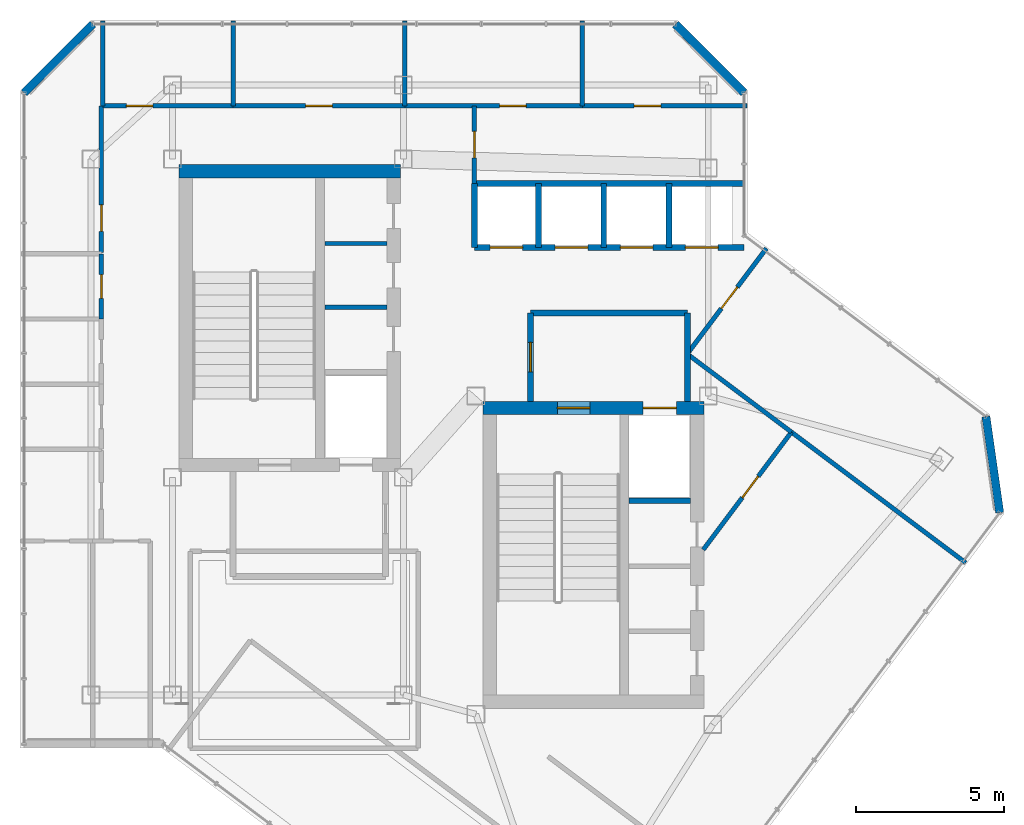
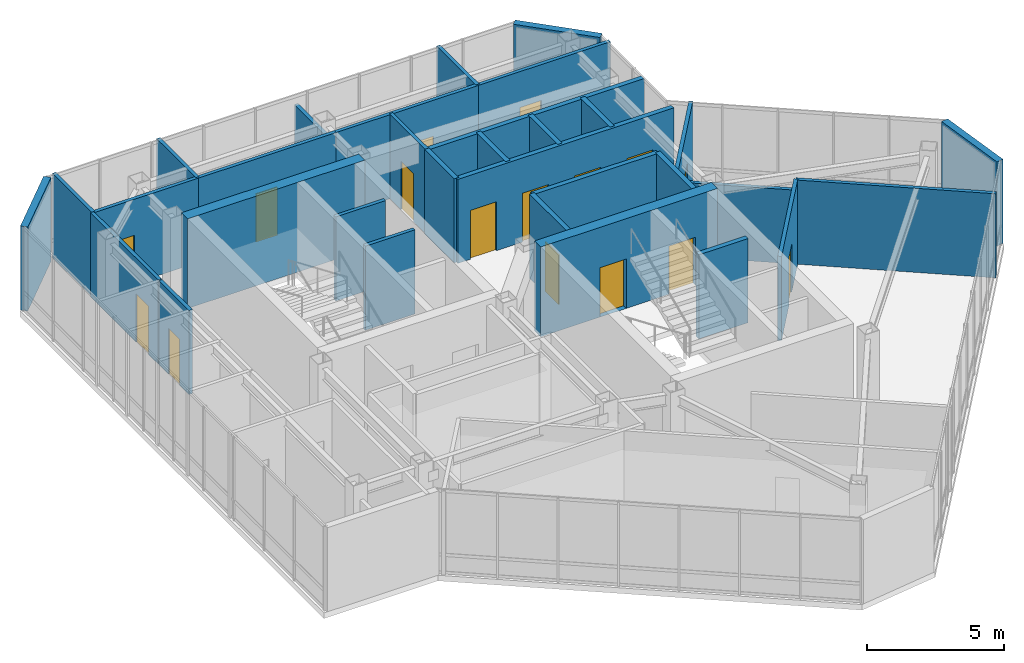
# One storey, part 27 of 30: 32 walls, 16 doors, 16 openings.
"""IFC4 building model written with IfcOpenShell, lengths in metres."""

from ifc_helpers import new_model, si_unit, direction, frame, frame_2d, origin, place, context, subcontext, project, spatial, rectangle, extrude, material, layer, layer_set, type_object, element, fill, save


model = new_model("IFC4")

# Units and contexts
model_context = context("Model", 3, precision=1e-05, world=origin(), true_north=direction((0.0, 1.0)))
body_context = subcontext(model_context, "Body", "Model", "MODEL_VIEW")
ifc_project = project(units=[si_unit("LENGTHUNIT", "METRE"), si_unit("AREAUNIT", "SQUARE_METRE"), si_unit("VOLUMEUNIT", "CUBIC_METRE"), si_unit("PLANEANGLEUNIT", "RADIAN"), si_unit("MASSUNIT", "GRAM", prefix="KILO")], contexts=[model_context])

# Site, building, storey
site_placement = place(None, origin())
site = spatial("IfcSite", under=ifc_project, at=site_placement, CompositionType="ELEMENT")
building_placement = place(site_placement, origin())
building = spatial("IfcBuilding", under=site, at=building_placement, Name="Hatsunagi Terrace Concourse", CompositionType="ELEMENT")
storey_placement = place(building_placement, frame((0.0, 0.0, 273.949951171875)))
storey = spatial("IfcBuildingStorey", under=building, at=storey_placement, Name="L72", CompositionType="ELEMENT", Elevation=273.949951171875)

# Wall
ifc_material_1 = material(Name="Concrete Fc42", Category="concrete")
ifc_layer_1 = layer(ifc_material_1, 0.449951171875)
ifc_layer_set_1 = layer_set([ifc_layer_1], Name="CoreShearWall_Fc42_450")
wall_type_1 = type_object("IfcWallType", Name="CoreShearWall_Fc42_450", PredefinedType="SHEAR", material=ifc_layer_set_1)
wall_1_placement = place(storey_placement, frame((25.77001953125, 42.89501953125, 0.0), z_axis=(0.0, 0.0, 1.0), x_axis=(1.0, 0.0, 0.0)))
element("IfcWall", 1, at=wall_1_placement, inside=storey, type_object=wall_type_1, Name="Core A Shear Wall N L72", PredefinedType="SHEAR", context=body_context, shape_type="SweptSolid", body=[
    extrude(rectangle(XDim=7.47998046875, YDim=0.449951171875, at=frame_2d((3.739990234375, 0.0))), origin(), (0.0, 0.0, 1.0), 4.0),
])

# Wall, openings, doors
wall_2_placement = place(storey_placement, frame((36.0400390625, 34.89501953125, 0.0), z_axis=(0.0, 0.0, 1.0), x_axis=(1.0, 0.0, 0.0)))
wall_2 = element("IfcWall", 2, at=wall_2_placement, inside=storey, type_object=wall_type_1, Name="Core B Shear Wall N L72", PredefinedType="SHEAR", context=body_context, shape_type="SweptSolid", body=[
    extrude(rectangle(XDim=7.4599609375, YDim=0.449951171875, at=frame_2d((3.72998046875, 0.0))), origin(), (0.0, 0.0, 1.0), 4.0),
])
opening_1_placement = place(wall_2_placement, frame((2.510009765625, 0.0, 0.0)))
opening_1 = element("IfcOpeningElement", 3, at=opening_1_placement, cuts=wall_2, Name="Opening DR-110S", PredefinedType="OPENING", context=body_context, shape_type="SweptSolid", body=[
    extrude(rectangle(XDim=1.10009765625, YDim=2.199951171875, at=frame_2d((0.550048828125, 1.10009765625))), frame((0.0, 0.23486328125, 0.0), z_axis=(0.0, -1.0, 0.0), x_axis=(1.0, 0.0, 0.0)), (0.0, 0.0, 1.0), 0.469970703125),
])
opening_2_placement = place(wall_2_placement, frame((5.409912109375, 0.0, 0.0)))
opening_2 = element("IfcOpeningElement", 4, at=opening_2_placement, cuts=wall_2, Name="Opening LD-02", PredefinedType="OPENING", context=body_context, shape_type="SweptSolid", body=[
    extrude(rectangle(XDim=1.1201171875, YDim=2.14990234375, at=frame_2d((0.56005859375, 1.074951171875))), frame((0.0, 0.23486328125, 0.0), z_axis=(0.0, -1.0, 0.0), x_axis=(1.0, 0.0, 0.0)), (0.0, 0.0, 1.0), 0.469970703125),
])
ifc_material_2 = material(Name="Stainless steel", Category="steel")
door_type_1 = type_object("IfcDoorType", Name="LiftLandingDoor_LD02", OperationType="SLIDING_TO_RIGHT", PredefinedType="USERDEFINED", material=ifc_material_2)
door_1_placement = place(opening_2_placement, origin())
door_1 = element("IfcDoor", 5, at=door_1_placement, inside=storey, type_object=door_type_1, Name="Lift landing door FF-02 L72", ObjectType="SLIDING_LANDING_DOOR", OperationType="SLIDING_TO_RIGHT", OverallHeight=2.14990234375, OverallWidth=1.1201171875, PredefinedType="USERDEFINED", context=body_context, shape_type="SweptSolid", body=[
    extrude(rectangle(XDim=1.1201171875, YDim=2.14990234375, at=frame_2d((0.56005859375, 1.074951171875))), frame((0.0, 0.02490234375, 0.0), z_axis=(0.0, -1.0, 0.0), x_axis=(1.0, 0.0, 0.0)), (0.0, 0.0, 1.0), 0.050048828125),
])
fill(opening_2, door_1)
ifc_material_3 = material(Name="Painted steel", Category="steel")
door_type_2 = type_object("IfcDoorType", Name="StairFireDoor_EI60_1100", OperationType="NOTDEFINED", PredefinedType="DOOR", material=ifc_material_3)
door_2_placement = place(opening_1_placement, origin())
door_2 = element("IfcDoor", 6, at=door_2_placement, inside=storey, type_object=door_type_2, Name="Stair ST-B Exit Door L72", OperationType="SINGLE_SWING_RIGHT", OverallHeight=2.199951171875, OverallWidth=1.10009765625, PredefinedType="DOOR", context=body_context, shape_type="SweptSolid", body=[
    extrude(rectangle(XDim=1.10009765625, YDim=2.199951171875, at=frame_2d((0.550048828125, 1.10009765625))), frame((0.0, 0.02490234375, 0.0), z_axis=(0.0, -1.0, 0.0), x_axis=(1.0, 0.0, 0.0)), (0.0, 0.0, 1.0), 0.050048828125),
])
fill(opening_1, door_2)

# Walls
ifc_material_4 = material(Name="Acoustic mineral board", Category="gypsum")
ifc_layer_2 = layer(ifc_material_4, 0.14990234375)
ifc_layer_set_2 = layer_set([ifc_layer_2], Name="PartitionWall_EI60_150")
wall_type_2 = type_object("IfcWallType", Name="PartitionWall_EI60_150", PredefinedType="PARTITIONING", material=ifc_layer_set_2)
for number, where, z_axis, x_axis, name in (
    (7, (30.699951171875, 38.300048828125, 0.0), (0.0, 0.0, 1.0), (1.0, 0.0, 0.0), "Interior Partition IW-L72-002"),
    (8, (30.699951171875, 40.449951171875, 0.0), (0.0, 0.0, 1.0), (1.0, 0.0, 0.0), "Interior Partition IW-L72-003"),
):
    element("IfcWall", number, at=place(storey_placement, frame(where, z_axis=z_axis, x_axis=x_axis)), inside=storey, type_object=wall_type_2, Name=name, PredefinedType="PARTITIONING", context=body_context, shape_type="SweptSolid", body=[
        extrude(rectangle(XDim=2.10009765625, YDim=0.14990234375, at=frame_2d((1.050048828125, 0.0))), origin(), (0.0, 0.0, 1.0), 3.75),
    ])

# Wall, opening, door
wall_3_placement = place(storey_placement, frame((23.14990234375, 37.89990234375, 0.0), z_axis=(0.0, 0.0, 1.0), x_axis=(0.0, 1.0, 0.0)))
wall_3 = element("IfcWall", 9, at=wall_3_placement, inside=storey, type_object=wall_type_2, Name="Interior Partition IW-L72-025", PredefinedType="PARTITIONING", context=body_context, shape_type="SweptSolid", body=[
    extrude(rectangle(XDim=2.2001953125, YDim=0.14990234375, at=frame_2d((1.10009765625, 0.0))), origin(), (0.0, 0.0, 1.0), 3.75),
])
opening_3_placement = place(wall_3_placement, frame((0.699951171875, 0.0, 0.0)))
opening_3 = element("IfcOpeningElement", 10, at=opening_3_placement, cuts=wall_3, Name="Opening DR-080", PredefinedType="OPENING", context=body_context, shape_type="SweptSolid", body=[
    extrude(rectangle(XDim=0.800048828125, YDim=2.06005859375, at=frame_2d((0.39990234375, 1.030029296875))), frame((0.0, 0.0849609375, 0.0), z_axis=(0.0, -1.0, 0.0), x_axis=(1.0, 0.0, 0.0)), (0.0, 0.0, 1.0), 0.169921875),
])
ifc_material_5 = material(Name="Hardwood timber", Category="wood")
door_type_3 = type_object("IfcDoorType", Name="BathroomDoor_800", OperationType="NOTDEFINED", PredefinedType="DOOR", material=ifc_material_5)
door_3_placement = place(opening_3_placement, origin())
door_3 = element("IfcDoor", 11, at=door_3_placement, inside=storey, type_object=door_type_3, Name="Male Restroom Door L72", OperationType="SINGLE_SWING_RIGHT", OverallHeight=2.06005859375, OverallWidth=0.800048828125, PredefinedType="DOOR", context=body_context, shape_type="SweptSolid", body=[
    extrude(rectangle(XDim=0.800048828125, YDim=2.06005859375, at=frame_2d((0.39990234375, 1.030029296875))), frame((0.0, 0.02490234375, 0.0), z_axis=(0.0, -1.0, 0.0), x_axis=(1.0, 0.0, 0.0)), (0.0, 0.0, 1.0), 0.050048828125),
])
fill(opening_3, door_3)

wall_4_placement = place(storey_placement, frame((23.199951171875, 45.10009765625, 0.0), z_axis=(0.0, 0.0, 1.0), x_axis=(1.0, 0.0, 0.0)))
wall_4 = element("IfcWall", 12, at=wall_4_placement, inside=storey, type_object=wall_type_2, Name="Interior Partition IW-L72-030", PredefinedType="PARTITIONING", context=body_context, shape_type="SweptSolid", body=[
    extrude(rectangle(XDim=4.400146484375, YDim=0.14990234375, at=frame_2d((2.2001953125, 0.0))), origin(), (0.0, 0.0, 1.0), 3.75),
])
opening_4_placement = place(wall_4_placement, frame((0.791015625, 0.0, 0.0)))
opening_4 = element("IfcOpeningElement", 13, at=opening_4_placement, cuts=wall_4, Name="Opening DR-090", PredefinedType="OPENING", context=body_context, shape_type="SweptSolid", body=[
    extrude(rectangle(XDim=0.89990234375, YDim=2.14990234375, at=frame_2d((0.449951171875, 1.074951171875))), frame((0.0, 0.0849609375, 0.0), z_axis=(0.0, -1.0, 0.0), x_axis=(1.0, 0.0, 0.0)), (0.0, 0.0, 1.0), 0.169921875),
])
ifc_material_6 = material(Name="Hardwood timber", Category="wood")
door_type_4 = type_object("IfcDoorType", Name="CrownPavilionDoor_EI30_900", OperationType="NOTDEFINED", PredefinedType="DOOR", material=ifc_material_6)
door_4_placement = place(opening_4_placement, origin())
door_4 = element("IfcDoor", 14, at=door_4_placement, inside=storey, type_object=door_type_4, Name="Focus Room L72-CRN1 Door", OperationType="SINGLE_SWING_RIGHT", OverallHeight=2.14990234375, OverallWidth=0.89990234375, PredefinedType="DOOR", context=body_context, shape_type="SweptSolid", body=[
    extrude(rectangle(XDim=0.89990234375, YDim=2.14990234375, at=frame_2d((0.449951171875, 1.074951171875))), frame((0.0, 0.02490234375, 0.0), z_axis=(0.0, -1.0, 0.0), x_axis=(1.0, 0.0, 0.0)), (0.0, 0.0, 1.0), 0.050048828125),
])
fill(opening_4, door_4)

# Walls
for number, where, z_axis, x_axis, name in (
    (15, (23.199951171875, 45.10009765625, 0.0), (0.0, 0.0, 1.0), (0.0, 1.0, 0.0), "Interior Partition IW-L72-031"),
    (16, (27.60009765625, 45.10009765625, 0.0), (0.0, 0.0, 1.0), (0.0, 1.0, 0.0), "Interior Partition IW-L72-032"),
):
    element("IfcWall", number, at=place(storey_placement, frame(where, z_axis=z_axis, x_axis=x_axis)), inside=storey, type_object=wall_type_2, Name=name, PredefinedType="PARTITIONING", context=body_context, shape_type="SweptSolid", body=[
        extrude(rectangle(XDim=2.85986328125, YDim=0.14990234375, at=frame_2d((1.429931640625, 0.0))), origin(), (0.0, 0.0, 1.0), 3.75),
    ])

# Wall, opening, door
wall_5_placement = place(storey_placement, frame((27.60009765625, 45.10009765625, 0.0), z_axis=(0.0, 0.0, 1.0), x_axis=(1.0, 0.0, 0.0)))
wall_5 = element("IfcWall", 17, at=wall_5_placement, inside=storey, type_object=wall_type_2, Name="Interior Partition IW-L72-033", PredefinedType="PARTITIONING", context=body_context, shape_type="SweptSolid", body=[
    extrude(rectangle(XDim=5.7998046875, YDim=0.14990234375, at=frame_2d((2.89990234375, 0.0))), origin(), (0.0, 0.0, 1.0), 3.75),
])
opening_5_placement = place(wall_5_placement, frame((2.449951171875, 0.0, 0.0)))
opening_5 = element("IfcOpeningElement", 18, at=opening_5_placement, cuts=wall_5, Name="Opening DR-090", PredefinedType="OPENING", context=body_context, shape_type="SweptSolid", body=[
    extrude(rectangle(XDim=0.89990234375, YDim=2.14990234375, at=frame_2d((0.449951171875, 1.074951171875))), frame((0.0, 0.0849609375, 0.0), z_axis=(0.0, -1.0, 0.0), x_axis=(1.0, 0.0, 0.0)), (0.0, 0.0, 1.0), 0.169921875),
])
door_5_placement = place(opening_5_placement, origin())
door_5 = element("IfcDoor", 19, at=door_5_placement, inside=storey, type_object=door_type_4, Name="Executive Office L72-CRN2 Door", OperationType="SINGLE_SWING_RIGHT", OverallHeight=2.14990234375, OverallWidth=0.89990234375, PredefinedType="DOOR", context=body_context, shape_type="SweptSolid", body=[
    extrude(rectangle(XDim=0.89990234375, YDim=2.14990234375, at=frame_2d((0.449951171875, 1.074951171875))), frame((0.0, 0.02490234375, 0.0), z_axis=(0.0, -1.0, 0.0), x_axis=(1.0, 0.0, 0.0)), (0.0, 0.0, 1.0), 0.050048828125),
])
fill(opening_5, door_5)

# Wall
wall_6_placement = place(storey_placement, frame((33.39990234375, 45.10009765625, 0.0), z_axis=(0.0, 0.0, 1.0), x_axis=(0.0, 1.0, 0.0)))
element("IfcWall", 20, at=wall_6_placement, inside=storey, type_object=wall_type_2, Name="Interior Partition IW-L72-034", PredefinedType="PARTITIONING", context=body_context, shape_type="SweptSolid", body=[
    extrude(rectangle(XDim=2.85986328125, YDim=0.14990234375, at=frame_2d((1.429931640625, 0.0))), origin(), (0.0, 0.0, 1.0), 3.2451171875),
])

# Wall, opening, door
wall_7_placement = place(storey_placement, frame((33.39990234375, 45.10009765625, 0.0), z_axis=(0.0, 0.0, 1.0), x_axis=(1.0, 0.0, 0.0)))
wall_7 = element("IfcWall", 21, at=wall_7_placement, inside=storey, type_object=wall_type_2, Name="Interior Partition IW-L72-035", PredefinedType="PARTITIONING", context=body_context, shape_type="SweptSolid", body=[
    extrude(rectangle(XDim=6.0, YDim=0.14990234375, at=frame_2d((3.0, 0.0))), origin(), (0.0, 0.0, 1.0), 3.75),
])
opening_6_placement = place(wall_7_placement, frame((3.200927734375, 0.0, 0.0)))
opening_6 = element("IfcOpeningElement", 22, at=opening_6_placement, cuts=wall_7, Name="Opening DR-090", PredefinedType="OPENING", context=body_context, shape_type="SweptSolid", body=[
    extrude(rectangle(XDim=0.89990234375, YDim=2.14990234375, at=frame_2d((0.449951171875, 1.074951171875))), frame((0.0, 0.0849609375, 0.0), z_axis=(0.0, -1.0, 0.0), x_axis=(1.0, 0.0, 0.0)), (0.0, 0.0, 1.0), 0.169921875),
])
door_6_placement = place(opening_6_placement, origin())
door_6 = element("IfcDoor", 23, at=door_6_placement, inside=storey, type_object=door_type_4, Name="VIP Lounge L72-CRN3 Door", OperationType="SINGLE_SWING_RIGHT", OverallHeight=2.14990234375, OverallWidth=0.89990234375, PredefinedType="DOOR", context=body_context, shape_type="SweptSolid", body=[
    extrude(rectangle(XDim=0.89990234375, YDim=2.14990234375, at=frame_2d((0.449951171875, 1.074951171875))), frame((0.0, 0.02490234375, 0.0), z_axis=(0.0, -1.0, 0.0), x_axis=(1.0, 0.0, 0.0)), (0.0, 0.0, 1.0), 0.050048828125),
])
fill(opening_6, door_6)

# Wall
wall_8_placement = place(storey_placement, frame((39.39990234375, 45.10009765625, 0.0), z_axis=(0.0, 0.0, 1.0), x_axis=(0.0, 1.0, 0.0)))
element("IfcWall", 24, at=wall_8_placement, inside=storey, type_object=wall_type_2, Name="Interior Partition IW-L72-036", PredefinedType="PARTITIONING", context=body_context, shape_type="SweptSolid", body=[
    extrude(rectangle(XDim=2.85986328125, YDim=0.14990234375, at=frame_2d((1.429931640625, 0.0))), origin(), (0.0, 0.0, 1.0), 3.75),
])

# Wall, opening, door
wall_9_placement = place(storey_placement, frame((39.39990234375, 45.10009765625, 0.0), z_axis=(0.0, 0.0, 1.0), x_axis=(1.0, 0.0, 0.0)))
wall_9 = element("IfcWall", 25, at=wall_9_placement, inside=storey, type_object=wall_type_2, Name="Interior Partition IW-L72-037", PredefinedType="PARTITIONING", context=body_context, shape_type="SweptSolid", body=[
    extrude(rectangle(XDim=5.56005859375, YDim=0.14990234375, at=frame_2d((2.780029296875, 0.0))), origin(), (0.0, 0.0, 1.0), 3.75),
])
opening_7_placement = place(wall_9_placement, frame((1.7451171875, 0.0, 0.0)))
opening_7 = element("IfcOpeningElement", 26, at=opening_7_placement, cuts=wall_9, Name="Opening DR-090", PredefinedType="OPENING", context=body_context, shape_type="SweptSolid", body=[
    extrude(rectangle(XDim=0.89990234375, YDim=2.14990234375, at=frame_2d((0.449951171875, 1.074951171875))), frame((0.0, 0.0849609375, 0.0), z_axis=(0.0, -1.0, 0.0), x_axis=(1.0, 0.0, 0.0)), (0.0, 0.0, 1.0), 0.169921875),
])
door_7_placement = place(opening_7_placement, origin())
door_7 = element("IfcDoor", 27, at=door_7_placement, inside=storey, type_object=door_type_4, Name="Executive Office L72-CRN4 Door", OperationType="SINGLE_SWING_RIGHT", OverallHeight=2.14990234375, OverallWidth=0.89990234375, PredefinedType="DOOR", context=body_context, shape_type="SweptSolid", body=[
    extrude(rectangle(XDim=0.89990234375, YDim=2.14990234375, at=frame_2d((0.449951171875, 1.074951171875))), frame((0.0, 0.02490234375, 0.0), z_axis=(0.0, -1.0, 0.0), x_axis=(1.0, 0.0, 0.0)), (0.0, 0.0, 1.0), 0.050048828125),
])
fill(opening_7, door_7)

wall_10_placement = place(storey_placement, frame((35.75, 42.47998046875, 0.0), z_axis=(0.0, 0.0, 1.0), x_axis=(0.0, 1.0, 0.0)))
wall_10 = element("IfcWall", 28, at=wall_10_placement, inside=storey, type_object=wall_type_2, Name="Interior Partition IW-L72-038", PredefinedType="PARTITIONING", context=body_context, shape_type="SweptSolid", body=[
    extrude(rectangle(XDim=2.6201171875, YDim=0.14990234375, at=frame_2d((1.31005859375, 0.0))), origin(), (0.0, 0.0, 1.0), 3.75),
])
opening_8_placement = place(wall_10_placement, frame((0.860107421875, 0.0, 0.0)))
opening_8 = element("IfcOpeningElement", 29, at=opening_8_placement, cuts=wall_10, Name="Opening DR-090", PredefinedType="OPENING", context=body_context, shape_type="SweptSolid", body=[
    extrude(rectangle(XDim=0.89990234375, YDim=2.14990234375, at=frame_2d((0.449951171875, 1.074951171875))), frame((0.0, 0.0849609375, 0.0), z_axis=(0.0, -1.0, 0.0), x_axis=(1.0, 0.0, 0.0)), (0.0, 0.0, 1.0), 0.169921875),
])
door_8_placement = place(opening_8_placement, origin())
door_8 = element("IfcDoor", 30, at=door_8_placement, inside=storey, type_object=door_type_4, Name="Crown Tea Salon L72-CRTEA Door", OperationType="SINGLE_SWING_RIGHT", OverallHeight=2.14990234375, OverallWidth=0.89990234375, PredefinedType="DOOR", context=body_context, shape_type="SweptSolid", body=[
    extrude(rectangle(XDim=0.89990234375, YDim=2.14990234375, at=frame_2d((0.449951171875, 1.074951171875))), frame((0.0, 0.02490234375, 0.0), z_axis=(0.0, -1.0, 0.0), x_axis=(1.0, 0.0, 0.0)), (0.0, 0.0, 1.0), 0.050048828125),
])
fill(opening_8, door_8)

wall_11_placement = place(storey_placement, frame((23.14990234375, 40.14990234375, 0.0), z_axis=(0.0, 0.0, 1.0), x_axis=(0.0, 1.0, 0.0)))
wall_11 = element("IfcWall", 31, at=wall_11_placement, inside=storey, type_object=wall_type_2, Name="Interior Partition IW-L72-046", PredefinedType="PARTITIONING", context=body_context, shape_type="SweptSolid", body=[
    extrude(rectangle(XDim=4.9501953125, YDim=0.14990234375, at=frame_2d((2.47509765625, 0.0))), origin(), (0.0, 0.0, 1.0), 3.75),
])
opening_9_placement = place(wall_11_placement, frame((0.708984375, 0.0, 0.0)))
opening_9 = element("IfcOpeningElement", 32, at=opening_9_placement, cuts=wall_11, Name="Opening DR-090", PredefinedType="OPENING", context=body_context, shape_type="SweptSolid", body=[
    extrude(rectangle(XDim=0.89990234375, YDim=2.14990234375, at=frame_2d((0.449951171875, 1.074951171875))), frame((0.0, 0.0849609375, 0.0), z_axis=(0.0, -1.0, 0.0), x_axis=(1.0, 0.0, 0.0)), (0.0, 0.0, 1.0), 0.169921875),
])
door_9_placement = place(opening_9_placement, origin())
door_9 = element("IfcDoor", 33, at=door_9_placement, inside=storey, type_object=door_type_4, Name="Crown Executive Suite L72-CRNW Door", OperationType="SINGLE_SWING_RIGHT", OverallHeight=2.14990234375, OverallWidth=0.89990234375, PredefinedType="DOOR", context=body_context, shape_type="SweptSolid", body=[
    extrude(rectangle(XDim=0.89990234375, YDim=2.14990234375, at=frame_2d((0.449951171875, 1.074951171875))), frame((0.0, 0.02490234375, 0.0), z_axis=(0.0, -1.0, 0.0), x_axis=(1.0, 0.0, 0.0)), (0.0, 0.0, 1.0), 0.050048828125),
])
fill(opening_9, door_9)

# Wall
wall_12_placement = place(storey_placement, frame((46.4599609375, 34.080078125, 0.0), z_axis=(0.0, 0.0, 1.0), x_axis=(0.799996019408, -0.60000530742, 0.0)))
element("IfcWall", 34, at=wall_12_placement, inside=storey, type_object=wall_type_2, Name="Interior Partition IW-L72-048", PredefinedType="PARTITIONING", context=body_context, shape_type="SweptSolid", body=[
    extrude(rectangle(XDim=7.35986328125, YDim=0.14990234375, at=frame_2d((3.679931640625, 0.0))), origin(), (0.0, 0.0, 1.0), 3.75),
])

# Wall, opening, door
wall_13_placement = place(storey_placement, frame((43.47998046875, 30.10693359375, 0.0), z_axis=(0.0, 0.0, 1.0), x_axis=(0.600015730265, 0.799988202059, 0.0)))
wall_13 = element("IfcWall", 35, at=wall_13_placement, inside=storey, type_object=wall_type_2, Name="Interior Partition IW-L72-049", PredefinedType="PARTITIONING", context=body_context, shape_type="SweptSolid", body=[
    extrude(rectangle(XDim=4.966552734375, YDim=0.14990234375, at=frame_2d((2.4833984375, 0.0))), origin(), (0.0, 0.0, 1.0), 3.75),
])
opening_10_placement = place(wall_13_placement, frame((2.198974609375, 0.0, 0.0)))
opening_10 = element("IfcOpeningElement", 36, at=opening_10_placement, cuts=wall_13, Name="Opening DR-090", PredefinedType="OPENING", context=body_context, shape_type="SweptSolid", body=[
    extrude(rectangle(XDim=0.89990234375, YDim=2.14990234375, at=frame_2d((0.449951171875, 1.074951171875))), frame((0.0, 0.0849609375, 0.0), z_axis=(0.0, -1.0, 0.0), x_axis=(1.0, 0.0, 0.0)), (0.0, 0.0, 1.0), 0.169921875),
])
door_10_placement = place(opening_10_placement, origin())
door_10 = element("IfcDoor", 37, at=door_10_placement, inside=storey, type_object=door_type_4, Name="Botanical Lounge L72-CR2A Door", OperationType="SINGLE_SWING_RIGHT", OverallHeight=2.14990234375, OverallWidth=0.89990234375, PredefinedType="DOOR", context=body_context, shape_type="SweptSolid", body=[
    extrude(rectangle(XDim=0.89990234375, YDim=2.14990234375, at=frame_2d((0.449951171875, 1.074951171875))), frame((0.0, 0.02490234375, 0.0), z_axis=(0.0, -1.0, 0.0), x_axis=(1.0, 0.0, 0.0)), (0.0, 0.0, 1.0), 0.050048828125),
])
fill(opening_10, door_10)

# Wall
wall_14_placement = place(storey_placement, frame((42.93994140625, 36.719970703125, 0.0), z_axis=(0.0, 0.0, 1.0), x_axis=(0.800013316712, -0.599982243973, 0.0)))
element("IfcWall", 38, at=wall_14_placement, inside=storey, type_object=wall_type_2, Name="Interior Partition IW-L72-050", PredefinedType="PARTITIONING", context=body_context, shape_type="SweptSolid", body=[
    extrude(rectangle(XDim=4.39990234375, YDim=0.14990234375, at=frame_2d((2.199951171875, 0.0))), origin(), (0.0, 0.0, 1.0), 3.295166015625),
])

# Wall, opening, door
wall_15_placement = place(storey_placement, frame((42.93994140625, 36.719970703125, 0.0), z_axis=(0.0, 0.0, 1.0), x_axis=(0.599991241767, 0.8000065686, 0.0)))
wall_15 = element("IfcWall", 39, at=wall_15_placement, inside=storey, type_object=wall_type_2, Name="Interior Partition IW-L72-051", PredefinedType="PARTITIONING", context=body_context, shape_type="SweptSolid", body=[
    extrude(rectangle(XDim=4.460205078125, YDim=0.14990234375, at=frame_2d((2.22998046875, 0.0))), origin(), (0.0, 0.0, 1.0), 3.75),
])
opening_11_placement = place(wall_15_placement, frame((1.919921875, 0.0, 0.0)))
opening_11 = element("IfcOpeningElement", 40, at=opening_11_placement, cuts=wall_15, Name="Opening DR-090", PredefinedType="OPENING", context=body_context, shape_type="SweptSolid", body=[
    extrude(rectangle(XDim=0.89990234375, YDim=2.14990234375, at=frame_2d((0.449951171875, 1.074951171875))), frame((0.0, 0.0849609375, 0.0), z_axis=(0.0, -1.0, 0.0), x_axis=(1.0, 0.0, 0.0)), (0.0, 0.0, 1.0), 0.169921875),
])
door_11_placement = place(opening_11_placement, origin())
door_11 = element("IfcDoor", 41, at=door_11_placement, inside=storey, type_object=door_type_4, Name="Boardroom L72-CR2B Door", OperationType="SINGLE_SWING_LEFT", OverallHeight=2.14990234375, OverallWidth=0.89990234375, PredefinedType="DOOR", context=body_context, shape_type="SweptSolid", body=[
    extrude(rectangle(XDim=0.89990234375, YDim=2.14990234375, at=frame_2d((0.449951171875, 1.074951171875))), frame((0.0, 0.02490234375, 0.0), z_axis=(0.0, -1.0, 0.0), x_axis=(1.0, 0.0, 0.0)), (0.0, 0.0, 1.0), 0.050048828125),
])
fill(opening_11, door_11)

# Walls
ifc_material_7 = material(Name="Acoustic mineral board", Category="gypsum")
ifc_layer_3 = layer(ifc_material_7, 0.199951171875)
ifc_layer_set_3 = layer_set([ifc_layer_3], Name="ShaftWall_EI120_200")
wall_type_3 = type_object("IfcWallType", Name="ShaftWall_EI120_200", PredefinedType="STANDARD", material=ifc_layer_set_3)
wall_16_placement = place(storey_placement, frame((40.969970703125, 31.760009765625, 0.0), z_axis=(0.0, 0.0, 1.0), x_axis=(1.0, 0.0, 0.0)))
element("IfcWall", 42, at=wall_16_placement, inside=storey, type_object=wall_type_3, Name="Interior Partition IW-L72-004", PredefinedType="STANDARD", context=body_context, shape_type="SweptSolid", body=[
    extrude(rectangle(XDim=2.080078125, YDim=0.199951171875, at=frame_2d((1.0400390625, 0.0))), origin(), (0.0, 0.0, 1.0), 3.75),
])
wall_17_placement = place(storey_placement, frame((37.64990234375, 38.10009765625, 0.0), z_axis=(0.0, 0.0, 1.0), x_axis=(1.0, 0.0, 0.0)))
element("IfcWall", 43, at=wall_17_placement, inside=storey, type_object=wall_type_3, Name="Interior Partition IW-L72-010", PredefinedType="STANDARD", context=body_context, shape_type="SweptSolid", body=[
    extrude(rectangle(XDim=5.300048828125, YDim=0.199951171875, at=frame_2d((2.64990234375, 0.0))), origin(), (0.0, 0.0, 1.0), 3.75),
])
wall_18_placement = place(storey_placement, frame((42.949951171875, 35.1201171875, 0.0), z_axis=(0.0, 0.0, 1.0), x_axis=(0.0, 1.0, 0.0)))
element("IfcWall", 44, at=wall_18_placement, inside=storey, type_object=wall_type_3, Name="Interior Partition IW-L72-011", PredefinedType="STANDARD", context=body_context, shape_type="SweptSolid", body=[
    extrude(rectangle(XDim=2.97998046875, YDim=0.199951171875, at=frame_2d((1.489990234375, 0.0))), origin(), (0.0, 0.0, 1.0), 3.75),
])

# Wall, opening, door
wall_19_placement = place(storey_placement, frame((37.64990234375, 35.1201171875, 0.0), z_axis=(0.0, 0.0, 1.0), x_axis=(0.0, 1.0, 0.0)))
wall_19 = element("IfcWall", 45, at=wall_19_placement, inside=storey, type_object=wall_type_3, Name="Interior Partition IW-L72-012", PredefinedType="STANDARD", context=body_context, shape_type="SweptSolid", body=[
    extrude(rectangle(XDim=2.97998046875, YDim=0.199951171875, at=frame_2d((1.489990234375, 0.0))), origin(), (0.0, 0.0, 1.0), 3.75),
])
opening_12_placement = place(wall_19_placement, frame((0.989990234375, 0.0, 0.0)))
opening_12 = element("IfcOpeningElement", 46, at=opening_12_placement, cuts=wall_19, Name="Opening DR-100F", PredefinedType="OPENING", context=body_context, shape_type="SweptSolid", body=[
    extrude(rectangle(XDim=1.0, YDim=2.199951171875, at=frame_2d((0.5, 1.10009765625))), frame((0.0, 0.10986328125, 0.0), z_axis=(0.0, -1.0, 0.0), x_axis=(1.0, 0.0, 0.0)), (0.0, 0.0, 1.0), 0.219970703125),
])
ifc_material_8 = material(Name="Painted steel", Category="steel")
door_type_5 = type_object("IfcDoorType", Name="FireDoor_EI60_1000", OperationType="NOTDEFINED", PredefinedType="DOOR", material=ifc_material_8)
door_12_placement = place(opening_12_placement, origin())
door_12 = element("IfcDoor", 47, at=door_12_placement, inside=storey, type_object=door_type_5, Name="Firefighting Lobby B Door L72", OperationType="SINGLE_SWING_RIGHT", OverallHeight=2.199951171875, OverallWidth=1.0, PredefinedType="DOOR", context=body_context, shape_type="SweptSolid", body=[
    extrude(rectangle(XDim=1.0, YDim=2.199951171875, at=frame_2d((0.5, 1.10009765625))), frame((0.0, 0.02490234375, 0.0), z_axis=(0.0, -1.0, 0.0), x_axis=(1.0, 0.0, 0.0)), (0.0, 0.0, 1.0), 0.050048828125),
])
fill(opening_12, door_12)

# Walls
wall_20_placement = place(storey_placement, frame((35.75, 42.47998046875, 0.0), z_axis=(0.0, 0.0, 1.0), x_axis=(1.0, 0.0, 0.0)))
element("IfcWall", 48, at=wall_20_placement, inside=storey, type_object=wall_type_3, Name="Interior Partition IW-L72-013", PredefinedType="STANDARD", context=body_context, shape_type="SweptSolid", body=[
    extrude(rectangle(XDim=9.110107421875, YDim=0.199951171875, at=frame_2d((4.55517578125, 0.0))), origin(), (0.0, 0.0, 1.0), 3.75),
])
for number, where, z_axis, x_axis, name in (
    (49, (35.75, 40.320068359375, 0.0), (0.0, 0.0, 1.0), (0.0, 1.0, 0.0), "Interior Partition IW-L72-014"),
    (50, (37.919921875, 40.320068359375, 0.0), (0.0, 0.0, 1.0), (0.0, 1.0, 0.0), "Interior Partition IW-L72-015"),
    (51, (40.1201171875, 40.320068359375, 0.0), (0.0, 0.0, 1.0), (0.0, 1.0, 0.0), "Interior Partition IW-L72-016"),
    (52, (42.320068359375, 40.320068359375, 0.0), (0.0, 0.0, 1.0), (0.0, 1.0, 0.0), "Interior Partition IW-L72-017"),
):
    element("IfcWall", number, at=place(storey_placement, frame(where, z_axis=z_axis, x_axis=x_axis)), inside=storey, type_object=wall_type_3, Name=name, PredefinedType="STANDARD", context=body_context, shape_type="SweptSolid", body=[
        extrude(rectangle(XDim=2.159912109375, YDim=0.199951171875, at=frame_2d((1.080078125, 0.0))), origin(), (0.0, 0.0, 1.0), 3.75),
    ])

# Wall, openings, doors
wall_21_placement = place(storey_placement, frame((35.75, 40.320068359375, 0.0), z_axis=(0.0, 0.0, 1.0), x_axis=(1.0, 0.0, 0.0)))
wall_21 = element("IfcWall", 53, at=wall_21_placement, inside=storey, type_object=wall_type_3, Name="Interior Partition IW-L72-018", PredefinedType="STANDARD", context=body_context, shape_type="SweptSolid", body=[
    extrude(rectangle(XDim=9.110107421875, YDim=0.199951171875, at=frame_2d((4.55517578125, 0.0))), origin(), (0.0, 0.0, 1.0), 3.75),
])
opening_13_placement = place(wall_21_placement, frame((0.530029296875, 0.0, 0.0)))
opening_13 = element("IfcOpeningElement", 54, at=opening_13_placement, cuts=wall_21, Name="Opening LD-04", PredefinedType="OPENING", context=body_context, shape_type="SweptSolid", body=[
    extrude(rectangle(XDim=1.10009765625, YDim=2.179931640625, at=frame_2d((0.550048828125, 1.08984375))), frame((0.0, 0.10986328125, 0.0), z_axis=(0.0, -1.0, 0.0), x_axis=(1.0, 0.0, 0.0)), (0.0, 0.0, 1.0), 0.219970703125),
])
opening_14_placement = place(wall_21_placement, frame((2.72998046875, 0.0, 0.0)))
opening_14 = element("IfcOpeningElement", 55, at=opening_14_placement, cuts=wall_21, Name="Opening LD-04", PredefinedType="OPENING", context=body_context, shape_type="SweptSolid", body=[
    extrude(rectangle(XDim=1.10009765625, YDim=2.179931640625, at=frame_2d((0.550048828125, 1.08984375))), frame((0.0, 0.10986328125, 0.0), z_axis=(0.0, -1.0, 0.0), x_axis=(1.0, 0.0, 0.0)), (0.0, 0.0, 1.0), 0.219970703125),
])
opening_15_placement = place(wall_21_placement, frame((4.929931640625, 0.0, 0.0)))
opening_15 = element("IfcOpeningElement", 56, at=opening_15_placement, cuts=wall_21, Name="Opening LD-04", PredefinedType="OPENING", context=body_context, shape_type="SweptSolid", body=[
    extrude(rectangle(XDim=1.10009765625, YDim=2.179931640625, at=frame_2d((0.550048828125, 1.08984375))), frame((0.0, 0.10986328125, 0.0), z_axis=(0.0, -1.0, 0.0), x_axis=(1.0, 0.0, 0.0)), (0.0, 0.0, 1.0), 0.219970703125),
])
opening_16_placement = place(wall_21_placement, frame((7.1298828125, 0.0, 0.0)))
opening_16 = element("IfcOpeningElement", 57, at=opening_16_placement, cuts=wall_21, Name="Opening LD-04", PredefinedType="OPENING", context=body_context, shape_type="SweptSolid", body=[
    extrude(rectangle(XDim=1.10009765625, YDim=2.179931640625, at=frame_2d((0.550048828125, 1.08984375))), frame((0.0, 0.10986328125, 0.0), z_axis=(0.0, -1.0, 0.0), x_axis=(1.0, 0.0, 0.0)), (0.0, 0.0, 1.0), 0.219970703125),
])
ifc_material_9 = material(Name="Stainless steel", Category="steel")
door_type_6 = type_object("IfcDoorType", Name="LiftLandingDoor_LD04", OperationType="SLIDING_TO_RIGHT", PredefinedType="USERDEFINED", material=ifc_material_9)
door_13_placement = place(opening_13_placement, origin())
door_13 = element("IfcDoor", 58, at=door_13_placement, inside=storey, type_object=door_type_6, Name="Lift landing door PL-05 L72", ObjectType="SLIDING_LANDING_DOOR", OperationType="SLIDING_TO_RIGHT", OverallHeight=2.179931640625, OverallWidth=1.10009765625, PredefinedType="USERDEFINED", context=body_context, shape_type="SweptSolid", body=[
    extrude(rectangle(XDim=1.10009765625, YDim=2.179931640625, at=frame_2d((0.550048828125, 1.08984375))), frame((0.0, 0.02490234375, 0.0), z_axis=(0.0, -1.0, 0.0), x_axis=(1.0, 0.0, 0.0)), (0.0, 0.0, 1.0), 0.050048828125),
])
fill(opening_13, door_13)
door_14_placement = place(opening_14_placement, origin())
door_14 = element("IfcDoor", 59, at=door_14_placement, inside=storey, type_object=door_type_6, Name="Lift landing door PL-06 L72", ObjectType="SLIDING_LANDING_DOOR", OperationType="SLIDING_TO_RIGHT", OverallHeight=2.179931640625, OverallWidth=1.10009765625, PredefinedType="USERDEFINED", context=body_context, shape_type="SweptSolid", body=[
    extrude(rectangle(XDim=1.10009765625, YDim=2.179931640625, at=frame_2d((0.550048828125, 1.08984375))), frame((0.0, 0.02490234375, 0.0), z_axis=(0.0, -1.0, 0.0), x_axis=(1.0, 0.0, 0.0)), (0.0, 0.0, 1.0), 0.050048828125),
])
fill(opening_14, door_14)
door_15_placement = place(opening_15_placement, origin())
door_15 = element("IfcDoor", 60, at=door_15_placement, inside=storey, type_object=door_type_6, Name="Lift landing door PL-07 L72", ObjectType="SLIDING_LANDING_DOOR", OperationType="SLIDING_TO_RIGHT", OverallHeight=2.179931640625, OverallWidth=1.10009765625, PredefinedType="USERDEFINED", context=body_context, shape_type="SweptSolid", body=[
    extrude(rectangle(XDim=1.10009765625, YDim=2.179931640625, at=frame_2d((0.550048828125, 1.08984375))), frame((0.0, 0.02490234375, 0.0), z_axis=(0.0, -1.0, 0.0), x_axis=(1.0, 0.0, 0.0)), (0.0, 0.0, 1.0), 0.050048828125),
])
fill(opening_15, door_15)
door_16_placement = place(opening_16_placement, origin())
door_16 = element("IfcDoor", 61, at=door_16_placement, inside=storey, type_object=door_type_6, Name="Lift landing door PL-08 L72", ObjectType="SLIDING_LANDING_DOOR", OperationType="SLIDING_TO_RIGHT", OverallHeight=2.179931640625, OverallWidth=1.10009765625, PredefinedType="USERDEFINED", context=body_context, shape_type="SweptSolid", body=[
    extrude(rectangle(XDim=1.10009765625, YDim=2.179931640625, at=frame_2d((0.550048828125, 1.08984375))), frame((0.0, 0.02490234375, 0.0), z_axis=(0.0, -1.0, 0.0), x_axis=(1.0, 0.0, 0.0)), (0.0, 0.0, 1.0), 0.050048828125),
])
fill(opening_16, door_16)

# Walls
ifc_material_10 = material(Name="Autoclaved Lightweight Concrete and Terracotta Cladding", Category="masonry")
ifc_layer_4 = layer(ifc_material_10, 0.280029296875)
ifc_layer_set_4 = layer_set([ifc_layer_4], Name="TerracottaSpandrelWall_280")
wall_type_4 = type_object("IfcWallType", Name="TerracottaSpandrelWall_280", PredefinedType="STANDARD", material=ifc_layer_set_4)
for number, where, z_axis, x_axis, name in (
    (62, (53.030029296875, 34.60302734375, 0.0), (0.0, 0.0, 1.0), (0.141212810973, -0.989979263428, 0.0), "Exterior Spandrel Wall EW-L72-02"),
    (63, (20.5400390625, 45.5419921875, 0.0), (0.0, 0.0, 1.0), (0.707069542501, 0.707144017911, 0.0), "Exterior Spandrel Wall EW-L72-08"),
):
    element("IfcWall", number, at=place(storey_placement, frame(where, z_axis=z_axis, x_axis=x_axis)), inside=storey, type_object=wall_type_4, Name=name, PredefinedType="STANDARD", context=body_context, shape_type="SweptSolid", body=[
        extrude(rectangle(XDim=3.278076171875, YDim=0.280029296875, at=frame_2d((1.63916015625, 0.0))), origin(), (0.0, 0.0, 1.0), 3.75),
    ])
wall_22_placement = place(storey_placement, frame((42.5419921875, 47.860107421875, 0.0), z_axis=(0.0, 0.0, 1.0), x_axis=(0.707106781187, -0.707106781187, 0.0)))
element("IfcWall", 64, at=wall_22_placement, inside=storey, type_object=wall_type_4, Name="Exterior Spandrel Wall EW-L72-10", PredefinedType="STANDARD", context=body_context, shape_type="SweptSolid", body=[
    extrude(rectangle(XDim=3.2783203125, YDim=0.280029296875, at=frame_2d((1.63916015625, 0.0))), origin(), (0.0, 0.0, 1.0), 3.75),
])

save(model, "model.ifc")
